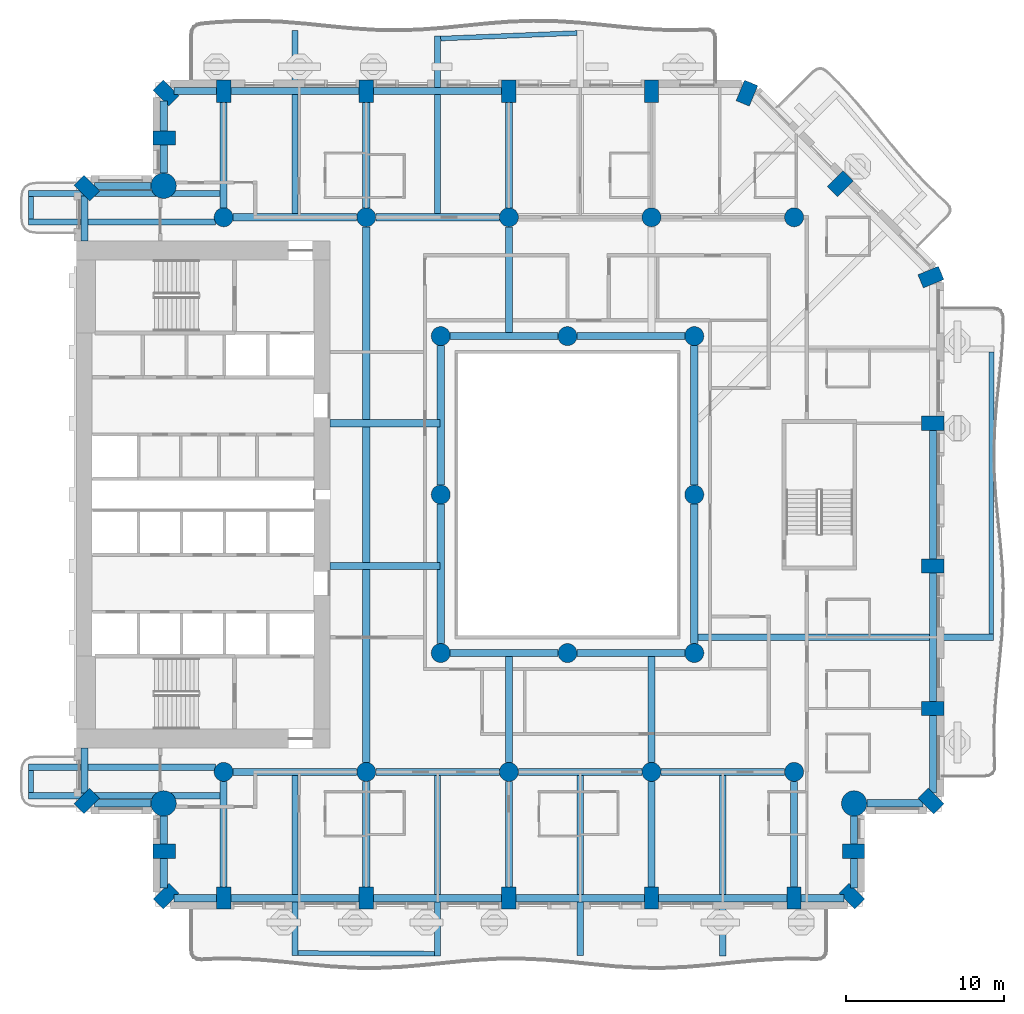
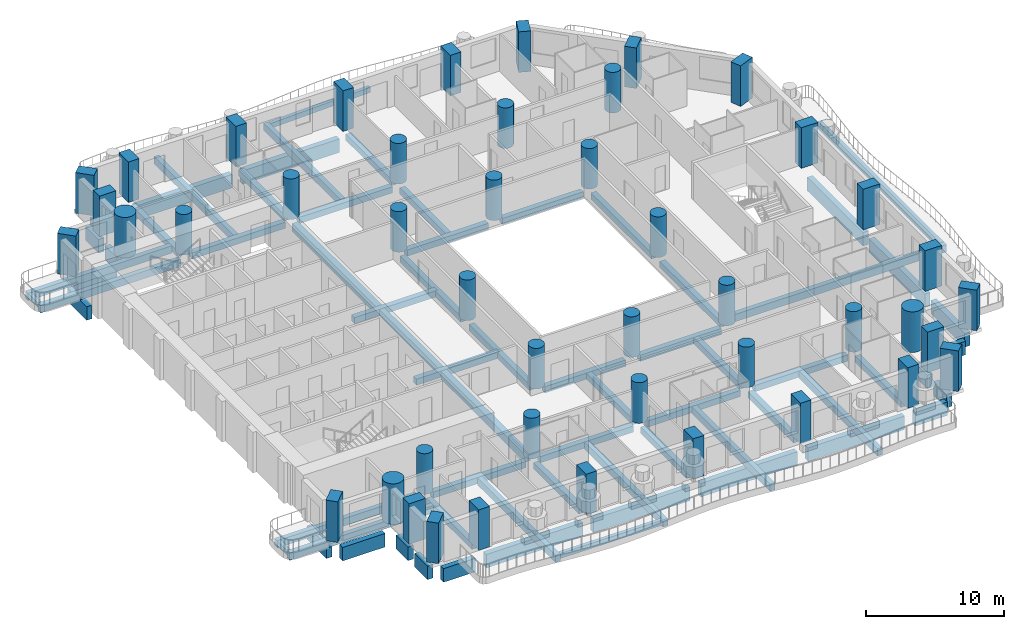
# One storey, part 1 of 20: 69 beams, 45 columns.
"""IFC4 building model written with IfcOpenShell, lengths in metres."""

import ifcopenshell
import ifcopenshell.guid

model = None  # the IFC model being written
_history = None  # IfcOwnerHistory: only IFC2X3 demands one
_inside = {}  # id of a spatial element -> (the spatial element, [elements in it])
_under = {}  # id of a project, library or spatial element -> (it, [spatial elements below it])
_declared = {}  # id of a project -> (the project, [libraries it declares])
_typed = {}  # id of a type object -> (the type object, [elements of that type])
_made_of = {}  # id of a material, layer set ... -> (it, [elements and type objects made of it])


def new_model(schema):
    """Start an empty IFC model of exactly this schema.

    Asked for "IFC4X3", IfcOpenShell would pick the latest addendum, in which some entities
    have other attributes; the version numbers below select the first issue.
    IFC2X3 requires an IfcOwnerHistory on every rooted entity: one is made here for all.
    """
    global model, _history
    if schema == "IFC4X3":
        model = ifcopenshell.file(schema_version=(4, 3, 0, 0))
    else:
        model = ifcopenshell.file(schema=schema)
    _inside.clear()
    _under.clear()
    _declared.clear()
    _typed.clear()
    _made_of.clear()
    _history = None
    if model.schema == "IFC2X3":
        org = make("IfcOrganization", Name="unknown")
        user = make(
            "IfcPersonAndOrganization",
            ThePerson=make("IfcPerson", FamilyName="unknown"),
            TheOrganization=org,
        )
        app = make(
            "IfcApplication",
            ApplicationDeveloper=org,
            Version="unknown",
            ApplicationFullName="unknown",
            ApplicationIdentifier="unknown",
        )
        _history = make(
            "IfcOwnerHistory",
            OwningUser=user,
            OwningApplication=app,
            ChangeAction="ADDED",
            CreationDate=0,
        )
    return model


def make(cls, **values):
    """One entity of the class cls with the attributes given. An attribute that is None is left unset."""
    return model.create_entity(
        cls, **{name: value for name, value in values.items() if value is not None}
    )


def rooted(cls, **values):
    """An entity with a GlobalId (a new one), such as an element, a storey or a relation."""
    return make(cls, GlobalId=ifcopenshell.guid.new(), OwnerHistory=_history, **values)


def si_unit(unit_type, name, prefix=None):
    """IfcSIUnit, for example si_unit("LENGTHUNIT", "METRE", prefix="MILLI")."""
    return make("IfcSIUnit", UnitType=unit_type, Prefix=prefix, Name=name)


def assignment(units):
    """IfcUnitAssignment: the units of a project."""
    return None if units is None else make("IfcUnitAssignment", Units=units)


def point(xyz):
    """IfcCartesianPoint."""
    return None if xyz is None else make("IfcCartesianPoint", Coordinates=xyz)


def direction(xyz):
    """IfcDirection."""
    return None if xyz is None else make("IfcDirection", DirectionRatios=xyz)


def frame(location, z_axis=None, x_axis=None):
    """IfcAxis2Placement3D, a coordinate frame: its origin and axes. An axis left out is left unset."""
    return make(
        "IfcAxis2Placement3D",
        Location=point(location),
        Axis=direction(z_axis),
        RefDirection=direction(x_axis),
    )


def frame_2d(location, x_axis=None):
    """IfcAxis2Placement2D, a coordinate frame in the plane: its origin and x axis."""
    return make(
        "IfcAxis2Placement2D", Location=point(location), RefDirection=direction(x_axis)
    )


def origin():
    """The frame at (0, 0, 0) with its axes left unset."""
    return frame((0.0, 0.0, 0.0))


def origin_2d():
    """The frame at (0, 0) in the plane with its x axis left unset."""
    return frame_2d((0.0, 0.0))


def place(relative_to, where):
    """IfcLocalPlacement: puts the frame where relative to a parent placement (None: the world)."""
    return make(
        "IfcLocalPlacement", PlacementRelTo=relative_to, RelativePlacement=where
    )


def context(
    kind, dimensions, precision=None, world=None, true_north=None, identifier=None
):
    """IfcGeometricRepresentationContext, for example the 3D "Model" context."""
    return make(
        "IfcGeometricRepresentationContext",
        ContextIdentifier=identifier,
        ContextType=kind,
        CoordinateSpaceDimension=dimensions,
        Precision=precision,
        WorldCoordinateSystem=world,
        TrueNorth=true_north,
    )


def subcontext(parent, identifier, kind, view, scale=None):
    """IfcGeometricRepresentationSubContext, for example "Body" below "Model"."""
    return make(
        "IfcGeometricRepresentationSubContext",
        ContextIdentifier=identifier,
        ContextType=kind,
        ParentContext=parent,
        TargetScale=scale,
        TargetView=view,
    )


def project(units=None, contexts=None):
    """IfcProject with its units and contexts."""
    return rooted(
        "IfcProject",
        Name="project",
        RepresentationContexts=contexts,
        UnitsInContext=assignment(units),
    )


def spatial(cls, under=None, at=None, **own):
    """A site, building, storey or space (cls), placed at a placement, below another one or the project."""
    s = rooted(cls, ObjectPlacement=at, **own)
    if under is not None:
        _under.setdefault(under.id(), (under, []))[1].append(s)
    return s


def profile(cls, at=None, kind="AREA", **sizes):
    """A parametric profile (cls). Its sizes go by their IFC names, for example OverallWidth=200.0."""
    return make(cls, ProfileType=kind, Position=at, **sizes)


def rectangle(**sizes):
    """IfcRectangleProfileDef."""
    return profile("IfcRectangleProfileDef", **sizes)


def circle(**sizes):
    """IfcCircleProfileDef."""
    return profile("IfcCircleProfileDef", **sizes)


def extrude(swept, where, along, depth):
    """IfcExtrudedAreaSolid: the profile swept, set in the frame where, extruded along a direction by depth."""
    return make(
        "IfcExtrudedAreaSolid",
        SweptArea=swept,
        Position=where,
        ExtrudedDirection=direction(along),
        Depth=depth,
    )


def shape(context_of_items, identifier, shape_type, items):
    """IfcShapeRepresentation: the items that make up one representation, for example the "Body"."""
    return make(
        "IfcShapeRepresentation",
        ContextOfItems=context_of_items,
        RepresentationIdentifier=identifier,
        RepresentationType=shape_type,
        Items=items,
    )


def material(Name=None, Category=None):
    """IfcMaterial."""
    return make("IfcMaterial", Name=Name, Category=Category)


def material_profile(
    of_material, cross_section, Name=None, Category=None, Priority=None
):
    """IfcMaterialProfile: a cross section and its material."""
    return make(
        "IfcMaterialProfile",
        Name=Name,
        Material=of_material,
        Profile=cross_section,
        Priority=Priority,
        Category=Category,
    )


def profile_set(profiles, Name=None, composite=None):
    """IfcMaterialProfileSet."""
    return make(
        "IfcMaterialProfileSet",
        Name=Name,
        MaterialProfiles=profiles,
        CompositeProfile=composite,
    )


def made_of(thing, what):
    """Note that an element or type object is made of a material, layer set ...; save() writes the relation."""
    if what is not None:
        _made_of.setdefault(what.id(), (what, []))[1].append(thing)
    return thing


def type_object(cls, material=None, **own):
    """A type object (cls), such as IfcWallType, which elements share."""
    return made_of(rooted(cls, **own), material)


def element(
    cls,
    number,
    at=None,
    inside=None,
    cuts=None,
    type_object=None,
    material=None,
    context=None,
    identifier="Body",
    shape_type=None,
    held_by="IfcProductDefinitionShape",
    body=None,
    shapes=None,
    **own,
):
    """One element of the class cls, such as IfcWall. Its Tag is "e" and its number.

    at: its placement. inside: the storey or other place that contains it. cuts: it is an
    opening in that element (IfcRelVoidsElement). A single representation is given by context,
    identifier, shape_type and body (its items); several are given by shapes. held_by: the class
    of the entity that holds the representations. save() writes the other relations.
    """
    e = rooted(cls, Tag="e%d" % number, ObjectPlacement=at, **own)
    if body is not None:
        shapes = [shape(context, identifier, shape_type, body)]
    if shapes is not None:
        e.Representation = make(held_by, Representations=shapes)
    if inside is not None:
        _inside.setdefault(inside.id(), (inside, []))[1].append(e)
    if cuts is not None:
        rooted(
            "IfcRelVoidsElement", RelatingBuildingElement=cuts, RelatedOpeningElement=e
        )
    if type_object is not None:
        _typed.setdefault(type_object.id(), (type_object, []))[1].append(e)
    return made_of(e, material)


def aggregate(whole, parts):
    """IfcRelAggregates: a whole, such as a stair, and the parts it consists of."""
    return rooted("IfcRelAggregates", RelatingObject=whole, RelatedObjects=parts)


def save(model, path):
    """Write the relations noted so far, then the file.

    IfcRelAggregates (storeys below a building ...), IfcRelContainedInSpatialStructure (elements
    in a storey), IfcRelDefinesByType, IfcRelAssociatesMaterial and IfcRelDeclares: one each for
    every whole, place, type object, material and project.
    """
    for whole, parts in _under.values():
        aggregate(whole, parts)
    for where, things in _inside.values():
        rooted(
            "IfcRelContainedInSpatialStructure",
            RelatedElements=things,
            RelatingStructure=where,
        )
    for kind, things in _typed.values():
        rooted("IfcRelDefinesByType", RelatedObjects=things, RelatingType=kind)
    for what, things in _made_of.values():
        rooted("IfcRelAssociatesMaterial", RelatedObjects=things, RelatingMaterial=what)
    for by, libraries in _declared.values():
        rooted("IfcRelDeclares", RelatingContext=by, RelatedDefinitions=libraries)
    model.write(path)


model = new_model("IFC4")

# Units and contexts
model_context = context("Model", 3, precision=1e-05, world=origin(), true_north=direction((0.0, 1.0)))
body_context = subcontext(model_context, "Body", "Model", "MODEL_VIEW")
ifc_project = project(units=[si_unit("LENGTHUNIT", "METRE"), si_unit("AREAUNIT", "SQUARE_METRE"), si_unit("VOLUMEUNIT", "CUBIC_METRE"), si_unit("PLANEANGLEUNIT", "RADIAN"), si_unit("MASSUNIT", "GRAM", prefix="KILO")], contexts=[model_context])

# Site, building, storey
site_placement = place(None, origin())
site = spatial("IfcSite", under=ifc_project, at=site_placement, CompositionType="ELEMENT")
building_placement = place(site_placement, origin())
building = spatial("IfcBuilding", under=site, at=building_placement, Name="Cypress Arch Tower", CompositionType="ELEMENT")
storey_placement = place(building_placement, frame((0.0, 0.0, 84.300048828125)))
storey = spatial("IfcBuildingStorey", under=building, at=storey_placement, Name="L15", CompositionType="ELEMENT", Elevation=84.300048828125)

# Columns
ifc_material_1 = material(Name="Concrete C80/95", Category="concrete")
ifc_material_profile_1 = material_profile(ifc_material_1, rectangle(XDim=0.89990234375, YDim=1.39990234375, at=origin_2d()), Name="RC 900x1400")
ifc_profile_set_1 = profile_set([ifc_material_profile_1], Name="Concrete C80/95")
column_type_1 = type_object("IfcColumnType", Name="Column RC 900x1400 Concrete C80/95", PredefinedType="COLUMN", material=ifc_profile_set_1)
for number, where, z_axis, x_axis, name in (
    (1, (-29.3369140625, 19.3369140625, 0.0), (0.0, 0.0, 1.0), (-0.707106781187, -0.707106781187, 0.0), "Column L15 CA00"),
    (2, (-29.3369140625, -19.3369140625, 0.0), (0.0, 0.0, 1.0), (0.707106781187, -0.707106781187, 0.0), "Column L15 CA01"),
    (3, (-24.449951171875, -22.5, 0.0), (0.0, 0.0, 1.0), (0.0, -1.0, 0.0), "Column L15 CA03"),
    (4, (-24.3369140625, -25.3369140625, 0.0), (0.0, 0.0, 1.0), (0.707106781187, -0.707106781187, 0.0), "Column L15 CA04"),
    (5, (-20.699951171875, -25.449951171875, 0.0), (0.0, 0.0, 1.0), (1.0, 0.0, 0.0), "Column L15 CA05"),
    (6, (-11.699951171875, -25.449951171875, 0.0), (0.0, 0.0, 1.0), (1.0, 0.0, 0.0), "Column L15 CA06"),
    (7, (-2.699951171875, -25.449951171875, 0.0), (0.0, 0.0, 1.0), (1.0, 0.0, 0.0), "Column L15 CA07"),
    (8, (6.300048828125, -25.449951171875, 0.0), (0.0, 0.0, 1.0), (1.0, 0.0, 0.0), "Column L15 CA08"),
    (9, (15.300048828125, -25.449951171875, 0.0), (0.0, 0.0, 1.0), (1.0, 0.0, 0.0), "Column L15 CA09"),
    (10, (18.936767578125, -25.3369140625, 0.0), (0.0, 0.0, 1.0), (0.707106781187, 0.707106781187, 0.0), "Column L15 CA10"),
    (11, (19.050048828125, -22.5, 0.0), (0.0, 0.0, 1.0), (0.0, 1.0, 0.0), "Column L15 CA11"),
    (12, (23.936767578125, -19.3369140625, 0.0), (0.0, 0.0, 1.0), (0.707106781187, 0.707106781187, 0.0), "Column L15 CA13"),
    (13, (24.050048828125, -13.5, 0.0), (0.0, 0.0, 1.0), (0.0, 1.0, 0.0), "Column L15 CA14"),
    (14, (24.050048828125, -4.5, 0.0), (0.0, 0.0, 1.0), (0.0, 1.0, 0.0), "Column L15 CA15"),
    (15, (24.050048828125, 4.5, 0.0), (0.0, 0.0, 1.0), (0.0, 1.0, 0.0), "Column L15 CA16"),
    (16, (23.93115234375, 13.722900390625, 0.0), (0.0, 0.0, 1.0), (-0.382683496864, 0.923879505795, 0.0), "Column L15 CA17"),
    (17, (18.211181640625, 19.611083984375, 0.0), (0.0, 0.0, 1.0), (-0.707106781187, 0.707106781187, 0.0), "Column L15 CA18"),
    (18, (12.322998046875, 25.3310546875, 0.0), (0.0, 0.0, 1.0), (-0.923879505795, 0.382683496864, 0.0), "Column L15 CA19"),
    (19, (6.300048828125, 25.449951171875, 0.0), (0.0, 0.0, 1.0), (-1.0, 0.0, 0.0), "Column L15 CA20"),
    (20, (-2.699951171875, 25.449951171875, 0.0), (0.0, 0.0, 1.0), (-1.0, 0.0, 0.0), "Column L15 CA21"),
    (21, (-11.699951171875, 25.449951171875, 0.0), (0.0, 0.0, 1.0), (-1.0, 0.0, 0.0), "Column L15 CA22"),
    (22, (-20.699951171875, 25.449951171875, 0.0), (0.0, 0.0, 1.0), (-1.0, 0.0, 0.0), "Column L15 CA23"),
    (23, (-24.3369140625, 25.3369140625, 0.0), (0.0, 0.0, 1.0), (-0.707106781187, -0.707106781187, 0.0), "Column L15 CA24"),
    (24, (-24.449951171875, 22.5, 0.0), (0.0, 0.0, 1.0), (0.0, -1.0, 0.0), "Column L15 CA25"),
):
    element("IfcColumn", number, at=place(storey_placement, frame(where, z_axis=z_axis, x_axis=x_axis)), inside=storey, type_object=column_type_1, Name=name, PredefinedType="COLUMN", context=body_context, shape_type="SweptSolid", body=[
        extrude(rectangle(XDim=0.89990234375, YDim=1.39990234375, at=origin_2d()), origin(), (0.0, 0.0, 1.0), 3.599853515625),
    ])
ifc_material_2 = material(Name="Concrete C80/95", Category="concrete")
ifc_material_profile_2 = material_profile(ifc_material_2, circle(Radius=0.60009765625, at=origin_2d()), Name="RC D1200")
ifc_profile_set_2 = profile_set([ifc_material_profile_2], Name="Concrete C80/95")
column_type_2 = type_object("IfcColumnType", Name="Column RC D1200 Concrete C80/95", PredefinedType="COLUMN", material=ifc_profile_set_2)
for number, where, z_axis, x_axis, name in (
    (25, (-20.699951171875, -17.5, 0.0), (0.0, 0.0, 1.0), (1.0, 0.0, 0.0), "Column L15 CIC-L15-CI3S"),
    (26, (-11.699951171875, -17.5, 0.0), (0.0, 0.0, 1.0), (1.0, 0.0, 0.0), "Column L15 CIC-L15-CI4S"),
    (27, (-2.699951171875, -17.5, 0.0), (0.0, 0.0, 1.0), (1.0, 0.0, 0.0), "Column L15 CIC-L15-CI5S"),
    (28, (6.300048828125, -17.5, 0.0), (0.0, 0.0, 1.0), (1.0, 0.0, 0.0), "Column L15 CIC-L15-CI6S"),
    (29, (15.300048828125, -17.5, 0.0), (0.0, 0.0, 1.0), (1.0, 0.0, 0.0), "Column L15 CIC-L15-CI7S"),
    (30, (-20.699951171875, 17.5, 0.0), (0.0, 0.0, 1.0), (1.0, 0.0, 0.0), "Column L15 CIC-L15-CI3N"),
    (31, (-11.699951171875, 17.5, 0.0), (0.0, 0.0, 1.0), (1.0, 0.0, 0.0), "Column L15 CIC-L15-CI4N"),
    (32, (-2.699951171875, 17.5, 0.0), (0.0, 0.0, 1.0), (1.0, 0.0, 0.0), "Column L15 CIC-L15-CI5N"),
    (33, (6.300048828125, 17.5, 0.0), (0.0, 0.0, 1.0), (1.0, 0.0, 0.0), "Column L15 CIC-L15-CI6N"),
    (34, (15.300048828125, 17.5, 0.0), (0.0, 0.0, 1.0), (1.0, 0.0, 0.0), "Column L15 CIC-L15-CI7N"),
    (35, (-7.0, -10.0, 0.0), (0.0, 0.0, 1.0), (1.0, 0.0, 0.0), "Column L15 RNG-L15-G-7-10"),
    (36, (-7.0, 0.0, 0.0), (0.0, 0.0, 1.0), (1.0, 0.0, 0.0), "Column L15 RNG-L15-G-7+0"),
    (37, (-7.0, 10.0, 0.0), (0.0, 0.0, 1.0), (1.0, 0.0, 0.0), "Column L15 RNG-L15-G-7+10"),
    (38, (1.0, -10.0, 0.0), (0.0, 0.0, 1.0), (1.0, 0.0, 0.0), "Column L15 RNG-L15-G+1-10"),
    (39, (1.0, 10.0, 0.0), (0.0, 0.0, 1.0), (1.0, 0.0, 0.0), "Column L15 RNG-L15-G+1+10"),
    (40, (9.0, -10.0, 0.0), (0.0, 0.0, 1.0), (1.0, 0.0, 0.0), "Column L15 RNG-L15-G+9-10"),
    (41, (9.0, 0.0, 0.0), (0.0, 0.0, 1.0), (1.0, 0.0, 0.0), "Column L15 RNG-L15-G+9+0"),
    (42, (9.0, 10.0, 0.0), (0.0, 0.0, 1.0), (1.0, 0.0, 0.0), "Column L15 RNG-L15-G+9+10"),
):
    element("IfcColumn", number, at=place(storey_placement, frame(where, z_axis=z_axis, x_axis=x_axis)), inside=storey, type_object=column_type_2, Name=name, PredefinedType="COLUMN", context=body_context, shape_type="SweptSolid", body=[
        extrude(circle(Radius=0.60009765625, at=origin_2d()), origin(), (0.0, 0.0, 1.0), 3.599853515625),
    ])
ifc_material_3 = material(Name="Concrete C80/95", Category="concrete")
ifc_material_profile_3 = material_profile(ifc_material_3, circle(Radius=0.800048828125, at=origin_2d()), Name="RC D1600")
ifc_profile_set_3 = profile_set([ifc_material_profile_3], Name="Concrete C80/95")
column_type_3 = type_object("IfcColumnType", Name="Mega-column RC D1600 Concrete C80/95", PredefinedType="COLUMN", material=ifc_profile_set_3)
for number, where, z_axis, x_axis, name in (
    (43, (-24.48779296875, -19.48779296875, 0.0), (0.0, 0.0, 1.0), (1.0, 0.0, 0.0), "Column L15 CA02"),
    (44, (19.087890625, -19.48779296875, 0.0), (0.0, 0.0, 1.0), (1.0, 0.0, 0.0), "Column L15 CA12"),
    (45, (-24.48779296875, 19.48779296875, 0.0), (0.0, 0.0, 1.0), (1.0, 0.0, 0.0), "Column L15 CA26"),
):
    element("IfcColumn", number, at=place(storey_placement, frame(where, z_axis=z_axis, x_axis=x_axis)), inside=storey, type_object=column_type_3, Name=name, PredefinedType="COLUMN", context=body_context, shape_type="SweptSolid", body=[
        extrude(circle(Radius=0.800048828125, at=origin_2d()), origin(), (0.0, 0.0, 1.0), 3.599853515625),
    ])

# Beams
ifc_material_4 = material(Name="Concrete C50/60", Category="concrete")
ifc_material_profile_4 = material_profile(ifc_material_4, rectangle(XDim=0.300048828125, YDim=0.449951171875, at=origin_2d()), Name="RC 300x450")
ifc_profile_set_4 = profile_set([ifc_material_profile_4], Name="Concrete C50/60")
beam_type_1 = type_object("IfcBeamType", Name="Balcony edge beam RC 300x450 Concrete C50/60", PredefinedType="BEAM", material=ifc_profile_set_4)
beam_1_placement = place(storey_placement, frame((-16.0, -28.929443359375, -0.525146484375), z_axis=(0.999988762519, -0.004740763168, 0.0), x_axis=(0.004740763168, 0.999988762519, 0.0)))
element("IfcBeam", 46, at=beam_1_placement, inside=storey, type_object=beam_type_1, Name="Balcony edge beam L15 A03", PredefinedType="BEAM", context=body_context, shape_type="SweptSolid", body=[
    extrude(rectangle(XDim=0.300048828125, YDim=0.449951171875, at=origin_2d()), origin(), (0.0, 0.0, 1.0), 8.60009765625),
])
beam_2_placement = place(storey_placement, frame((1.60009765625, 29.12548828125, -0.525146484375), z_axis=(-0.999182777257, -0.040420015261, 0.0), x_axis=(0.040420015261, -0.999182777257, 0.0)))
element("IfcBeam", 47, at=beam_2_placement, inside=storey, type_object=beam_type_1, Name="Balcony edge beam L15 A08", PredefinedType="BEAM", context=body_context, shape_type="SweptSolid", body=[
    extrude(rectangle(XDim=0.300048828125, YDim=0.449951171875, at=origin_2d()), origin(), (0.0, 0.0, 1.0), 8.607177734375),
])
ifc_material_5 = material(Name="Concrete C50/60", Category="concrete")
ifc_material_profile_5 = material_profile(ifc_material_5, rectangle(XDim=0.300048828125, YDim=0.64990234375, at=origin_2d()), Name="RC 300x650")
ifc_profile_set_5 = profile_set([ifc_material_profile_5], Name="Concrete C50/60")
beam_type_2 = type_object("IfcBeamType", Name="Balcony edge beam RC 300x650 Concrete C50/60", PredefinedType="BEAM", material=ifc_profile_set_5)
beam_3_placement = place(storey_placement, frame((27.741455078125, -8.800048828125, -0.625), z_axis=(0.000576455798, 0.999999833849, 0.0), x_axis=(-0.999999833849, 0.000576455798, 0.0)))
element("IfcBeam", 48, at=beam_3_placement, inside=storey, type_object=beam_type_2, Name="Balcony edge beam L15 A06", PredefinedType="BEAM", context=body_context, shape_type="SweptSolid", body=[
    extrude(rectangle(XDim=0.300048828125, YDim=0.64990234375, at=origin_2d()), origin(), (0.0, 0.0, 1.0), 17.787841796875),
])
ifc_material_6 = material(Name="Concrete C50/60", Category="concrete")
ifc_material_profile_6 = material_profile(ifc_material_6, rectangle(XDim=0.300048828125, YDim=0.39990234375, at=origin_2d()), Name="RC 300x400")
ifc_profile_set_6 = profile_set([ifc_material_profile_6], Name="Concrete C50/60")
beam_type_3 = type_object("IfcBeamType", Name="Balcony stub beam RC 300x400 Concrete C50/60", PredefinedType="BEAM", material=ifc_profile_set_6)
for number, where, z_axis, x_axis, name in (
    (49, (-32.85009765625, 18.800048828125, -0.5), (0.0, -1.0, 0.0), (1.0, 0.0, 0.0), "Balcony stub beam L15 A00W0"),
    (50, (-32.85009765625, -17.39990234375, -0.5), (0.0, -1.0, 0.0), (1.0, 0.0, 0.0), "Balcony stub beam L15 A00W1"),
):
    element("IfcBeam", number, at=place(storey_placement, frame(where, z_axis=z_axis, x_axis=x_axis)), inside=storey, type_object=beam_type_3, Name=name, PredefinedType="BEAM", context=body_context, shape_type="SweptSolid", body=[
        extrude(rectangle(XDim=0.300048828125, YDim=0.39990234375, at=origin_2d()), origin(), (0.0, 0.0, 1.0), 1.400146484375),
    ])
ifc_material_7 = material(Name="Concrete C50/60", Category="concrete")
ifc_material_profile_7 = material_profile(ifc_material_7, rectangle(XDim=0.39990234375, YDim=0.64990234375, at=origin_2d()), Name="RC 400x650")
ifc_profile_set_7 = profile_set([ifc_material_profile_7], Name="Concrete C50/60")
beam_type_4 = type_object("IfcBeamType", Name="Cantilever beam RC 400x650 Concrete C50/60", PredefinedType="BEAM", material=ifc_profile_set_7)
beam_4_placement = place(storey_placement, frame((-20.925048828125, 19.0, -0.625), z_axis=(-1.0, 0.0, 0.0), x_axis=(0.0, -1.0, 0.0)))
element("IfcBeam", 51, at=beam_4_placement, inside=storey, type_object=beam_type_4, Name="Cantilever beam L15 A00 1", PredefinedType="BEAM", context=body_context, shape_type="SweptSolid", body=[
    extrude(rectangle(XDim=0.39990234375, YDim=0.64990234375, at=origin_2d()), origin(), (0.0, 0.0, 1.0), 12.074951171875),
])
for number, where, z_axis, x_axis, name in (
    (52, (-21.219482421875, 17.199951171875, -0.625), (-1.0, 0.0, 0.0), (0.0, -1.0, 0.0), "Cantilever beam L15 A00 2"),
    (53, (-21.219482421875, -17.199951171875, -0.625), (-1.0, 0.0, 0.0), (0.0, -1.0, 0.0), "Cantilever beam L15 A00 1"),
):
    element("IfcBeam", number, at=place(storey_placement, frame(where, z_axis=z_axis, x_axis=x_axis)), inside=storey, type_object=beam_type_4, Name=name, PredefinedType="BEAM", context=body_context, shape_type="SweptSolid", body=[
        extrude(rectangle(XDim=0.39990234375, YDim=0.64990234375, at=origin_2d()), origin(), (0.0, 0.0, 1.0), 11.780517578125),
    ])
beam_5_placement = place(storey_placement, frame((-20.925048828125, -19.0, -0.625), z_axis=(-1.0, 0.0, 0.0), x_axis=(0.0, -1.0, 0.0)))
element("IfcBeam", 54, at=beam_5_placement, inside=storey, type_object=beam_type_4, Name="Cantilever beam L15 A00 2", PredefinedType="BEAM", context=body_context, shape_type="SweptSolid", body=[
    extrude(rectangle(XDim=0.39990234375, YDim=0.64990234375, at=origin_2d()), origin(), (0.0, 0.0, 1.0), 12.074951171875),
])
beam_6_placement = place(storey_placement, frame((-16.199951171875, -17.72509765625, -0.625), z_axis=(0.0, -1.0, 0.0), x_axis=(1.0, 0.0, 0.0)))
element("IfcBeam", 55, at=beam_6_placement, inside=storey, type_object=beam_type_4, Name="Cantilever beam L15 A03 1", PredefinedType="BEAM", context=body_context, shape_type="SweptSolid", body=[
    extrude(rectangle(XDim=0.39990234375, YDim=0.64990234375, at=origin_2d()), origin(), (0.0, 0.0, 1.0), 11.354248046875),
])
beam_7_placement = place(storey_placement, frame((-7.199951171875, -17.72509765625, -0.625), z_axis=(0.0, -1.0, 0.0), x_axis=(1.0, 0.0, 0.0)))
element("IfcBeam", 56, at=beam_7_placement, inside=storey, type_object=beam_type_4, Name="Cantilever beam L15 A03 2", PredefinedType="BEAM", context=body_context, shape_type="SweptSolid", body=[
    extrude(rectangle(XDim=0.39990234375, YDim=0.64990234375, at=origin_2d()), origin(), (0.0, 0.0, 1.0), 11.395263671875),
])
beam_8_placement = place(storey_placement, frame((1.800048828125, -17.72509765625, -0.625), z_axis=(0.0, -1.0, 0.0), x_axis=(1.0, 0.0, 0.0)))
element("IfcBeam", 57, at=beam_8_placement, inside=storey, type_object=beam_type_4, Name="Cantilever beam L15 A03 3", PredefinedType="BEAM", context=body_context, shape_type="SweptSolid", body=[
    extrude(rectangle(XDim=0.39990234375, YDim=0.64990234375, at=origin_2d()), origin(), (0.0, 0.0, 1.0), 11.354736328125),
])
beam_9_placement = place(storey_placement, frame((10.800048828125, -17.72509765625, -0.625), z_axis=(0.0, -1.0, 0.0), x_axis=(1.0, 0.0, 0.0)))
element("IfcBeam", 58, at=beam_9_placement, inside=storey, type_object=beam_type_4, Name="Cantilever beam L15 A03 4", PredefinedType="BEAM", context=body_context, shape_type="SweptSolid", body=[
    extrude(rectangle(XDim=0.39990234375, YDim=0.64990234375, at=origin_2d()), origin(), (0.0, 0.0, 1.0), 11.394775390625),
])
beam_10_placement = place(storey_placement, frame((9.22509765625, -9.0, -0.625), z_axis=(1.0, 0.0, 0.0), x_axis=(0.0, 1.0, 0.0)))
element("IfcBeam", 59, at=beam_10_placement, inside=storey, type_object=beam_type_4, Name="Cantilever beam L15 A06 1", PredefinedType="BEAM", context=body_context, shape_type="SweptSolid", body=[
    extrude(rectangle(XDim=0.39990234375, YDim=0.64990234375, at=origin_2d()), origin(), (0.0, 0.0, 1.0), 18.66650390625),
])
beam_11_placement = place(storey_placement, frame((-7.199951171875, 17.72509765625, -0.625), z_axis=(0.0, 1.0, 0.0), x_axis=(-1.0, 0.0, 0.0)))
element("IfcBeam", 60, at=beam_11_placement, inside=storey, type_object=beam_type_4, Name="Cantilever beam L15 A08 2", PredefinedType="BEAM", context=body_context, shape_type="SweptSolid", body=[
    extrude(rectangle(XDim=0.39990234375, YDim=0.64990234375, at=origin_2d()), origin(), (0.0, 0.0, 1.0), 11.202392578125),
])
beam_12_placement = place(storey_placement, frame((-16.199951171875, 17.72509765625, -0.625), z_axis=(0.0, 1.0, 0.0), x_axis=(-1.0, 0.0, 0.0)))
element("IfcBeam", 61, at=beam_12_placement, inside=storey, type_object=beam_type_4, Name="Cantilever beam L15 A08 3", PredefinedType="BEAM", context=body_context, shape_type="SweptSolid", body=[
    extrude(rectangle(XDim=0.39990234375, YDim=0.64990234375, at=origin_2d()), origin(), (0.0, 0.0, 1.0), 11.545654296875),
])
ifc_material_8 = material(Name="Concrete C50/60", Category="concrete")
ifc_material_profile_8 = material_profile(ifc_material_8, rectangle(XDim=0.449951171875, YDim=0.550048828125, at=origin_2d()), Name="RC 450x550")
ifc_profile_set_8 = profile_set([ifc_material_profile_8], Name="Concrete C50/60")
beam_type_5 = type_object("IfcBeamType", Name="Floor beam RC 450x550 Concrete C50/60", PredefinedType="BEAM", material=ifc_profile_set_8)
for number, where, z_axis, x_axis, name in (
    (62, (-7.0, -9.39990234375, -0.574951171875), (0.0, 1.0, 0.0), (-1.0, 0.0, 0.0), "Floor beam L15 RB001"),
    (63, (-7.0, 0.60009765625, -0.574951171875), (0.0, 1.0, 0.0), (-1.0, 0.0, 0.0), "Floor beam L15 RB002"),
    (64, (9.0, -9.39990234375, -0.574951171875), (0.0, 1.0, 0.0), (-1.0, 0.0, 0.0), "Floor beam L15 RB003"),
    (65, (9.0, 0.60009765625, -0.574951171875), (0.0, 1.0, 0.0), (-1.0, 0.0, 0.0), "Floor beam L15 RB004"),
):
    element("IfcBeam", number, at=place(storey_placement, frame(where, z_axis=z_axis, x_axis=x_axis)), inside=storey, type_object=beam_type_5, Name=name, PredefinedType="BEAM", context=body_context, shape_type="SweptSolid", body=[
        extrude(rectangle(XDim=0.449951171875, YDim=0.550048828125, at=origin_2d()), origin(), (0.0, 0.0, 1.0), 8.7998046875),
    ])
for number, where, z_axis, x_axis, name in (
    (66, (-6.39990234375, -10.0, -0.574951171875), (1.0, 0.0, 0.0), (0.0, 1.0, 0.0), "Floor beam L15 RB005"),
    (67, (1.60009765625, -10.0, -0.574951171875), (1.0, 0.0, 0.0), (0.0, 1.0, 0.0), "Floor beam L15 RB006"),
    (68, (-6.39990234375, 10.0, -0.574951171875), (1.0, 0.0, 0.0), (0.0, 1.0, 0.0), "Floor beam L15 RB007"),
    (69, (1.60009765625, 10.0, -0.574951171875), (1.0, 0.0, 0.0), (0.0, 1.0, 0.0), "Floor beam L15 RB008"),
):
    element("IfcBeam", number, at=place(storey_placement, frame(where, z_axis=z_axis, x_axis=x_axis)), inside=storey, type_object=beam_type_5, Name=name, PredefinedType="BEAM", context=body_context, shape_type="SweptSolid", body=[
        extrude(rectangle(XDim=0.449951171875, YDim=0.550048828125, at=origin_2d()), origin(), (0.0, 0.0, 1.0), 6.7998046875),
    ])
for number, where, z_axis, x_axis, name in (
    (70, (-20.10009765625, -17.5, -0.574951171875), (1.0, 0.0, 0.0), (0.0, 1.0, 0.0), "Floor beam L15 FB009"),
    (71, (-11.10009765625, -17.5, -0.574951171875), (1.0, 0.0, 0.0), (0.0, 1.0, 0.0), "Floor beam L15 FB010"),
    (72, (-2.10009765625, -17.5, -0.574951171875), (1.0, 0.0, 0.0), (0.0, 1.0, 0.0), "Floor beam L15 FB011"),
    (73, (6.89990234375, -17.5, -0.574951171875), (1.0, 0.0, 0.0), (0.0, 1.0, 0.0), "Floor beam L15 FB012"),
):
    element("IfcBeam", number, at=place(storey_placement, frame(where, z_axis=z_axis, x_axis=x_axis)), inside=storey, type_object=beam_type_5, Name=name, PredefinedType="BEAM", context=body_context, shape_type="SweptSolid", body=[
        extrude(rectangle(XDim=0.449951171875, YDim=0.550048828125, at=origin_2d()), origin(), (0.0, 0.0, 1.0), 7.800048828125),
    ])
for number, where, z_axis, x_axis, name in (
    (74, (-14.0, -4.5, -0.574951171875), (1.0, 0.0, 0.0), (0.0, 1.0, 0.0), "Floor beam L15 FB013"),
    (75, (-14.0, 4.5, -0.574951171875), (1.0, 0.0, 0.0), (0.0, 1.0, 0.0), "Floor beam L15 FB014"),
):
    element("IfcBeam", number, at=place(storey_placement, frame(where, z_axis=z_axis, x_axis=x_axis)), inside=storey, type_object=beam_type_5, Name=name, PredefinedType="BEAM", context=body_context, shape_type="SweptSolid", body=[
        extrude(rectangle(XDim=0.449951171875, YDim=0.550048828125, at=origin_2d()), origin(), (0.0, 0.0, 1.0), 6.949951171875),
    ])
for number, where, z_axis, x_axis, name in (
    (76, (-20.10009765625, 17.5, -0.574951171875), (1.0, 0.0, 0.0), (0.0, 1.0, 0.0), "Floor beam L15 FB015"),
    (77, (-11.10009765625, 17.5, -0.574951171875), (1.0, 0.0, 0.0), (0.0, 1.0, 0.0), "Floor beam L15 FB016"),
):
    element("IfcBeam", number, at=place(storey_placement, frame(where, z_axis=z_axis, x_axis=x_axis)), inside=storey, type_object=beam_type_5, Name=name, PredefinedType="BEAM", context=body_context, shape_type="SweptSolid", body=[
        extrude(rectangle(XDim=0.449951171875, YDim=0.550048828125, at=origin_2d()), origin(), (0.0, 0.0, 1.0), 7.800048828125),
    ])
for number, where, z_axis, x_axis, name in (
    (78, (-20.699951171875, -24.75, -0.574951171875), (0.0, 1.0, 0.0), (-1.0, 0.0, 0.0), "Floor beam L15 FB019"),
    (79, (-20.699951171875, 18.10009765625, -0.574951171875), (0.0, 1.0, 0.0), (-1.0, 0.0, 0.0), "Floor beam L15 FB020"),
    (80, (-11.699951171875, -24.75, -0.574951171875), (0.0, 1.0, 0.0), (-1.0, 0.0, 0.0), "Floor beam L15 FB021"),
):
    element("IfcBeam", number, at=place(storey_placement, frame(where, z_axis=z_axis, x_axis=x_axis)), inside=storey, type_object=beam_type_5, Name=name, PredefinedType="BEAM", context=body_context, shape_type="SweptSolid", body=[
        extrude(rectangle(XDim=0.449951171875, YDim=0.550048828125, at=origin_2d()), origin(), (0.0, 0.0, 1.0), 6.64990234375),
    ])
beam_13_placement = place(storey_placement, frame((-11.699951171875, -4.27490234375, -0.574951171875), z_axis=(0.0, 1.0, 0.0), x_axis=(-1.0, 0.0, 0.0)))
element("IfcBeam", 81, at=beam_13_placement, inside=storey, type_object=beam_type_5, Name="Floor beam L15 FB023", PredefinedType="BEAM", context=body_context, shape_type="SweptSolid", body=[
    extrude(rectangle(XDim=0.449951171875, YDim=0.550048828125, at=origin_2d()), origin(), (0.0, 0.0, 1.0), 8.5498046875),
])
for number, where, z_axis, x_axis, name in (
    (82, (-11.699951171875, 18.10009765625, -0.574951171875), (0.0, 1.0, 0.0), (-1.0, 0.0, 0.0), "Floor beam L15 FB025"),
    (83, (-2.699951171875, -24.75, -0.574951171875), (0.0, 1.0, 0.0), (-1.0, 0.0, 0.0), "Floor beam L15 FB026"),
):
    element("IfcBeam", number, at=place(storey_placement, frame(where, z_axis=z_axis, x_axis=x_axis)), inside=storey, type_object=beam_type_5, Name=name, PredefinedType="BEAM", context=body_context, shape_type="SweptSolid", body=[
        extrude(rectangle(XDim=0.449951171875, YDim=0.550048828125, at=origin_2d()), origin(), (0.0, 0.0, 1.0), 6.64990234375),
    ])
for number, where, z_axis, x_axis, name in (
    (84, (-2.699951171875, -16.89990234375, -0.574951171875), (0.0, 1.0, 0.0), (-1.0, 0.0, 0.0), "Floor beam L15 FB027"),
    (85, (-2.699951171875, 10.22509765625, -0.574951171875), (0.0, 1.0, 0.0), (-1.0, 0.0, 0.0), "Floor beam L15 FB028"),
):
    element("IfcBeam", number, at=place(storey_placement, frame(where, z_axis=z_axis, x_axis=x_axis)), inside=storey, type_object=beam_type_5, Name=name, PredefinedType="BEAM", context=body_context, shape_type="SweptSolid", body=[
        extrude(rectangle(XDim=0.449951171875, YDim=0.550048828125, at=origin_2d()), origin(), (0.0, 0.0, 1.0), 6.6748046875),
    ])
for number, where, z_axis, x_axis, name in (
    (86, (-2.699951171875, 18.10009765625, -0.574951171875), (0.0, 1.0, 0.0), (-1.0, 0.0, 0.0), "Floor beam L15 FB029"),
    (87, (6.300048828125, -24.75, -0.574951171875), (0.0, 1.0, 0.0), (-1.0, 0.0, 0.0), "Floor beam L15 FB030"),
):
    element("IfcBeam", number, at=place(storey_placement, frame(where, z_axis=z_axis, x_axis=x_axis)), inside=storey, type_object=beam_type_5, Name=name, PredefinedType="BEAM", context=body_context, shape_type="SweptSolid", body=[
        extrude(rectangle(XDim=0.449951171875, YDim=0.550048828125, at=origin_2d()), origin(), (0.0, 0.0, 1.0), 6.64990234375),
    ])
beam_14_placement = place(storey_placement, frame((6.300048828125, -16.89990234375, -0.574951171875), z_axis=(0.0, 1.0, 0.0), x_axis=(-1.0, 0.0, 0.0)))
element("IfcBeam", 88, at=beam_14_placement, inside=storey, type_object=beam_type_5, Name="Floor beam L15 FB031", PredefinedType="BEAM", context=body_context, shape_type="SweptSolid", body=[
    extrude(rectangle(XDim=0.449951171875, YDim=0.550048828125, at=origin_2d()), origin(), (0.0, 0.0, 1.0), 6.6748046875),
])
beam_15_placement = place(storey_placement, frame((15.300048828125, -24.75, -0.574951171875), z_axis=(0.0, 1.0, 0.0), x_axis=(-1.0, 0.0, 0.0)))
element("IfcBeam", 89, at=beam_15_placement, inside=storey, type_object=beam_type_5, Name="Floor beam L15 FB034", PredefinedType="BEAM", context=body_context, shape_type="SweptSolid", body=[
    extrude(rectangle(XDim=0.449951171875, YDim=0.550048828125, at=origin_2d()), origin(), (0.0, 0.0, 1.0), 6.64990234375),
])
ifc_material_9 = material(Name="Concrete C50/60", Category="concrete")
ifc_material_profile_9 = material_profile(ifc_material_9, rectangle(XDim=0.5, YDim=0.699951171875, at=origin_2d()), Name="RC 500x700")
ifc_profile_set_9 = profile_set([ifc_material_profile_9], Name="Concrete C50/60")
beam_type_6 = type_object("IfcBeamType", Name="Floor beam RC 500x700 Concrete C50/60", PredefinedType="BEAM", material=ifc_profile_set_9)
for number, where, z_axis, x_axis, name in (
    (90, (-11.699951171875, -16.89990234375, -0.650146484375), (0.0, 1.0, 0.0), (-1.0, 0.0, 0.0), "Floor beam L15 FB022"),
    (91, (-11.699951171875, 4.72509765625, -0.650146484375), (0.0, 1.0, 0.0), (-1.0, 0.0, 0.0), "Floor beam L15 FB024"),
):
    element("IfcBeam", number, at=place(storey_placement, frame(where, z_axis=z_axis, x_axis=x_axis)), inside=storey, type_object=beam_type_6, Name=name, PredefinedType="BEAM", context=body_context, shape_type="SweptSolid", body=[
        extrude(rectangle(XDim=0.5, YDim=0.699951171875, at=origin_2d()), origin(), (0.0, 0.0, 1.0), 12.1748046875),
    ])
ifc_material_10 = material(Name="Concrete C50/60", Category="concrete")
ifc_material_profile_10 = material_profile(ifc_material_10, rectangle(XDim=0.449951171875, YDim=1.199951171875, at=origin_2d()), Name="RC 450x1200")
ifc_profile_set_10 = profile_set([ifc_material_profile_10], Name="Concrete C50/60")
beam_type_7 = type_object("IfcBeamType", Name="Spandrel beam RC 450x1200 Concrete C50/60", PredefinedType="SPANDREL", material=ifc_profile_set_10)
for number, where, z_axis, x_axis, name in (
    (92, (-29.47509765625, 18.838623046875, -1.550048828125), (0.0, -1.0, 0.0), (1.0, 0.0, 0.0), "Spandrel beam L15 BA00-0"),
    (93, (-29.47509765625, -16.0, -1.550048828125), (0.0, -1.0, 0.0), (1.0, 0.0, 0.0), "Spandrel beam L15 BA00-0"),
):
    element("IfcBeam", number, at=place(storey_placement, frame(where, z_axis=z_axis, x_axis=x_axis)), inside=storey, type_object=beam_type_7, Name=name, PredefinedType="SPANDREL", context=body_context, shape_type="SweptSolid", body=[
        extrude(rectangle(XDim=0.449951171875, YDim=1.199951171875, at=origin_2d()), origin(), (0.0, 0.0, 1.0), 2.838623046875),
    ])
beam_16_placement = place(storey_placement, frame((-28.838623046875, -19.47509765625, -1.550048828125), z_axis=(1.0, 0.0, 0.0), x_axis=(0.0, 1.0, 0.0)))
element("IfcBeam", 94, at=beam_16_placement, inside=storey, type_object=beam_type_7, Name="Spandrel beam L15 BA01-0", PredefinedType="SPANDREL", context=body_context, shape_type="SweptSolid", body=[
    extrude(rectangle(XDim=0.449951171875, YDim=1.199951171875, at=origin_2d()), origin(), (0.0, 0.0, 1.0), 3.551025390625),
])
beam_17_placement = place(storey_placement, frame((-24.47509765625, -20.28759765625, -1.550048828125), z_axis=(0.0, -1.0, 0.0), x_axis=(1.0, 0.0, 0.0)))
element("IfcBeam", 95, at=beam_17_placement, inside=storey, type_object=beam_type_7, Name="Spandrel beam L15 BA02-0", PredefinedType="SPANDREL", context=body_context, shape_type="SweptSolid", body=[
    extrude(rectangle(XDim=0.449951171875, YDim=1.199951171875, at=origin_2d()), origin(), (0.0, 0.0, 1.0), 1.762451171875),
])
beam_18_placement = place(storey_placement, frame((-24.47509765625, -22.949951171875, -1.550048828125), z_axis=(0.0, -1.0, 0.0), x_axis=(1.0, 0.0, 0.0)))
element("IfcBeam", 96, at=beam_18_placement, inside=storey, type_object=beam_type_7, Name="Spandrel beam L15 BA02-1", PredefinedType="SPANDREL", context=body_context, shape_type="SweptSolid", body=[
    extrude(rectangle(XDim=0.449951171875, YDim=1.199951171875, at=origin_2d()), origin(), (0.0, 0.0, 1.0), 1.888671875),
])
beam_19_placement = place(storey_placement, frame((-23.838623046875, -25.47509765625, -1.550048828125), z_axis=(1.0, 0.0, 0.0), x_axis=(0.0, 1.0, 0.0)))
element("IfcBeam", 97, at=beam_19_placement, inside=storey, type_object=beam_type_7, Name="Spandrel beam L15 BA03-0", PredefinedType="SPANDREL", context=body_context, shape_type="SweptSolid", body=[
    extrude(rectangle(XDim=0.449951171875, YDim=1.199951171875, at=origin_2d()), origin(), (0.0, 0.0, 1.0), 2.688720703125),
])
for number, where, z_axis, x_axis, name in (
    (98, (-20.25, -25.47509765625, -1.550048828125), (1.0, 0.0, 0.0), (0.0, 1.0, 0.0), "Spandrel beam L15 BA03-1"),
    (99, (-11.25, -25.47509765625, -1.550048828125), (1.0, 0.0, 0.0), (0.0, 1.0, 0.0), "Spandrel beam L15 BA03-2"),
    (100, (-2.25, -25.47509765625, -1.550048828125), (1.0, 0.0, 0.0), (0.0, 1.0, 0.0), "Spandrel beam L15 BA03-3"),
    (101, (6.75, -25.47509765625, -1.550048828125), (1.0, 0.0, 0.0), (0.0, 1.0, 0.0), "Spandrel beam L15 BA03-4"),
):
    element("IfcBeam", number, at=place(storey_placement, frame(where, z_axis=z_axis, x_axis=x_axis)), inside=storey, type_object=beam_type_7, Name=name, PredefinedType="SPANDREL", context=body_context, shape_type="SweptSolid", body=[
        extrude(rectangle(XDim=0.449951171875, YDim=1.199951171875, at=origin_2d()), origin(), (0.0, 0.0, 1.0), 8.10009765625),
    ])
beam_20_placement = place(storey_placement, frame((15.75, -25.47509765625, -1.550048828125), z_axis=(1.0, 0.0, 0.0), x_axis=(0.0, 1.0, 0.0)))
element("IfcBeam", 102, at=beam_20_placement, inside=storey, type_object=beam_type_7, Name="Spandrel beam L15 BA03-5", PredefinedType="SPANDREL", context=body_context, shape_type="SweptSolid", body=[
    extrude(rectangle(XDim=0.449951171875, YDim=1.199951171875, at=origin_2d()), origin(), (0.0, 0.0, 1.0), 2.688720703125),
])
beam_21_placement = place(storey_placement, frame((19.074951171875, -24.838623046875, -1.550048828125), z_axis=(0.0, 1.0, 0.0), x_axis=(-1.0, 0.0, 0.0)))
element("IfcBeam", 103, at=beam_21_placement, inside=storey, type_object=beam_type_7, Name="Spandrel beam L15 BA04-0", PredefinedType="SPANDREL", context=body_context, shape_type="SweptSolid", body=[
    extrude(rectangle(XDim=0.449951171875, YDim=1.199951171875, at=origin_2d()), origin(), (0.0, 0.0, 1.0), 1.888671875),
])
beam_22_placement = place(storey_placement, frame((19.074951171875, -22.050048828125, -1.550048828125), z_axis=(0.0, 1.0, 0.0), x_axis=(-1.0, 0.0, 0.0)))
element("IfcBeam", 104, at=beam_22_placement, inside=storey, type_object=beam_type_7, Name="Spandrel beam L15 BA04-1", PredefinedType="SPANDREL", context=body_context, shape_type="SweptSolid", body=[
    extrude(rectangle(XDim=0.449951171875, YDim=1.199951171875, at=origin_2d()), origin(), (0.0, 0.0, 1.0), 1.762451171875),
])
beam_23_placement = place(storey_placement, frame((19.887451171875, -19.47509765625, -1.550048828125), z_axis=(1.0, 0.0, 0.0), x_axis=(0.0, 1.0, 0.0)))
element("IfcBeam", 105, at=beam_23_placement, inside=storey, type_object=beam_type_7, Name="Spandrel beam L15 BA05-0", PredefinedType="SPANDREL", context=body_context, shape_type="SweptSolid", body=[
    extrude(rectangle(XDim=0.449951171875, YDim=1.199951171875, at=origin_2d()), origin(), (0.0, 0.0, 1.0), 3.55126953125),
])
beam_24_placement = place(storey_placement, frame((24.074951171875, -18.838623046875, -1.550048828125), z_axis=(0.0, 1.0, 0.0), x_axis=(-1.0, 0.0, 0.0)))
element("IfcBeam", 106, at=beam_24_placement, inside=storey, type_object=beam_type_7, Name="Spandrel beam L15 BA06-0", PredefinedType="SPANDREL", context=body_context, shape_type="SweptSolid", body=[
    extrude(rectangle(XDim=0.449951171875, YDim=1.199951171875, at=origin_2d()), origin(), (0.0, 0.0, 1.0), 4.888671875),
])
for number, where, z_axis, x_axis, name in (
    (107, (24.074951171875, -13.050048828125, -1.550048828125), (0.0, 1.0, 0.0), (-1.0, 0.0, 0.0), "Spandrel beam L15 BA06-1"),
    (108, (24.074951171875, -4.050048828125, -1.550048828125), (0.0, 1.0, 0.0), (-1.0, 0.0, 0.0), "Spandrel beam L15 BA06-2"),
    (109, (-3.14990234375, 25.47509765625, -1.550048828125), (-1.0, 0.0, 0.0), (0.0, -1.0, 0.0), "Spandrel beam L15 BA08-2"),
    (110, (-12.14990234375, 25.47509765625, -1.550048828125), (-1.0, 0.0, 0.0), (0.0, -1.0, 0.0), "Spandrel beam L15 BA08-3"),
):
    element("IfcBeam", number, at=place(storey_placement, frame(where, z_axis=z_axis, x_axis=x_axis)), inside=storey, type_object=beam_type_7, Name=name, PredefinedType="SPANDREL", context=body_context, shape_type="SweptSolid", body=[
        extrude(rectangle(XDim=0.449951171875, YDim=1.199951171875, at=origin_2d()), origin(), (0.0, 0.0, 1.0), 8.10009765625),
    ])
beam_25_placement = place(storey_placement, frame((-21.14990234375, 25.47509765625, -1.550048828125), z_axis=(-1.0, 0.0, 0.0), x_axis=(0.0, -1.0, 0.0)))
element("IfcBeam", 111, at=beam_25_placement, inside=storey, type_object=beam_type_7, Name="Spandrel beam L15 BA08-4", PredefinedType="SPANDREL", context=body_context, shape_type="SweptSolid", body=[
    extrude(rectangle(XDim=0.449951171875, YDim=1.199951171875, at=origin_2d()), origin(), (0.0, 0.0, 1.0), 2.688720703125),
])
beam_26_placement = place(storey_placement, frame((-24.47509765625, 24.838623046875, -1.550048828125), z_axis=(0.0, -1.0, 0.0), x_axis=(1.0, 0.0, 0.0)))
element("IfcBeam", 112, at=beam_26_placement, inside=storey, type_object=beam_type_7, Name="Spandrel beam L15 BA09-0", PredefinedType="SPANDREL", context=body_context, shape_type="SweptSolid", body=[
    extrude(rectangle(XDim=0.449951171875, YDim=1.199951171875, at=origin_2d()), origin(), (0.0, 0.0, 1.0), 1.888671875),
])
beam_27_placement = place(storey_placement, frame((-24.47509765625, 22.050048828125, -1.550048828125), z_axis=(0.0, -1.0, 0.0), x_axis=(1.0, 0.0, 0.0)))
element("IfcBeam", 113, at=beam_27_placement, inside=storey, type_object=beam_type_7, Name="Spandrel beam L15 BA09-1", PredefinedType="SPANDREL", context=body_context, shape_type="SweptSolid", body=[
    extrude(rectangle(XDim=0.449951171875, YDim=1.199951171875, at=origin_2d()), origin(), (0.0, 0.0, 1.0), 1.762451171875),
])
beam_28_placement = place(storey_placement, frame((-25.28759765625, 19.47509765625, -1.550048828125), z_axis=(-1.0, 0.0, 0.0), x_axis=(0.0, -1.0, 0.0)))
element("IfcBeam", 114, at=beam_28_placement, inside=storey, type_object=beam_type_7, Name="Spandrel beam L15 BA10-0", PredefinedType="SPANDREL", context=body_context, shape_type="SweptSolid", body=[
    extrude(rectangle(XDim=0.449951171875, YDim=1.199951171875, at=origin_2d()), origin(), (0.0, 0.0, 1.0), 3.551025390625),
])

save(model, "model.ifc")
